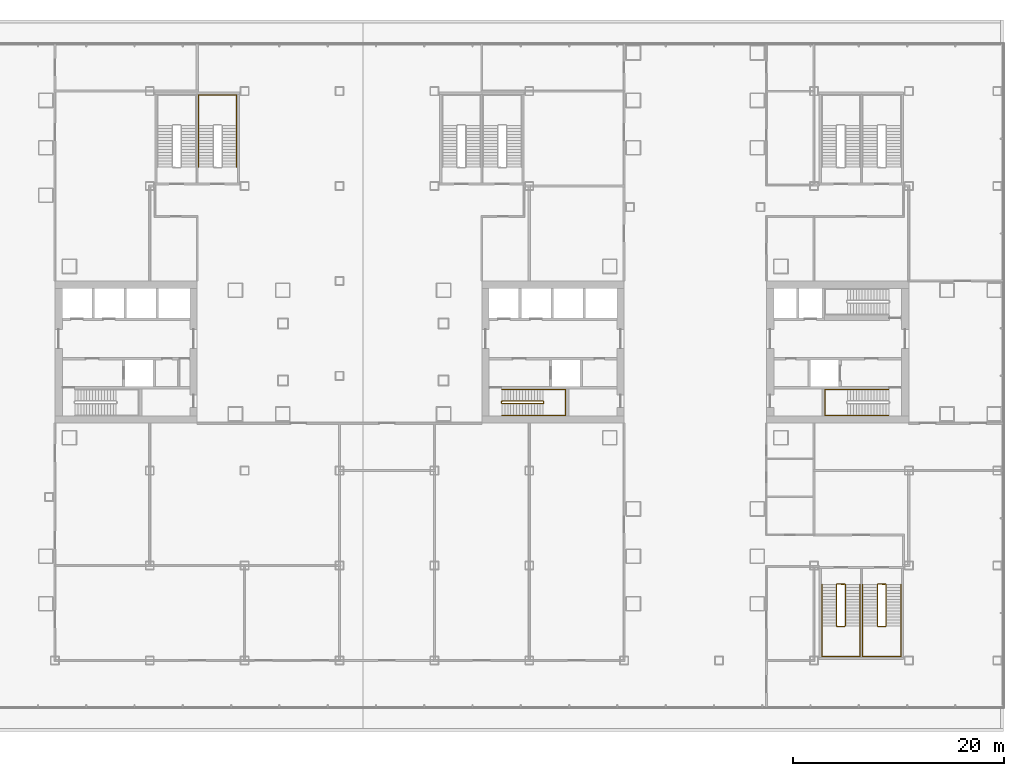
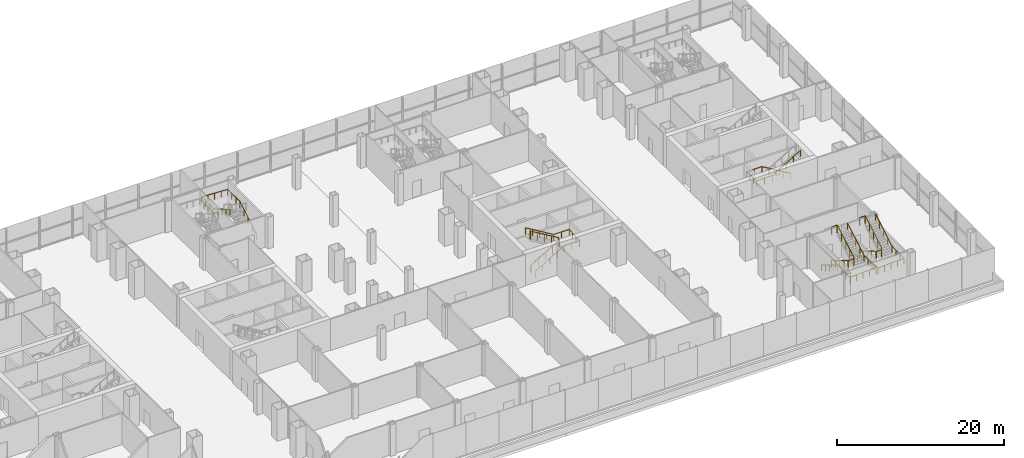
# One storey, part 31 of 33: 8 railings.
"""IFC4 building model written with IfcOpenShell, lengths in metres."""

import ifcopenshell
import ifcopenshell.guid

model = None  # the IFC model being written
_history = None  # IfcOwnerHistory: only IFC2X3 demands one
_inside = {}  # id of a spatial element -> (the spatial element, [elements in it])
_under = {}  # id of a project, library or spatial element -> (it, [spatial elements below it])
_declared = {}  # id of a project -> (the project, [libraries it declares])
_typed = {}  # id of a type object -> (the type object, [elements of that type])
_made_of = {}  # id of a material, layer set ... -> (it, [elements and type objects made of it])


def new_model(schema):
    """Start an empty IFC model of exactly this schema.

    Asked for "IFC4X3", IfcOpenShell would pick the latest addendum, in which some entities
    have other attributes; the version numbers below select the first issue.
    IFC2X3 requires an IfcOwnerHistory on every rooted entity: one is made here for all.
    """
    global model, _history
    if schema == "IFC4X3":
        model = ifcopenshell.file(schema_version=(4, 3, 0, 0))
    else:
        model = ifcopenshell.file(schema=schema)
    _inside.clear()
    _under.clear()
    _declared.clear()
    _typed.clear()
    _made_of.clear()
    _history = None
    if model.schema == "IFC2X3":
        org = make("IfcOrganization", Name="unknown")
        user = make(
            "IfcPersonAndOrganization",
            ThePerson=make("IfcPerson", FamilyName="unknown"),
            TheOrganization=org,
        )
        app = make(
            "IfcApplication",
            ApplicationDeveloper=org,
            Version="unknown",
            ApplicationFullName="unknown",
            ApplicationIdentifier="unknown",
        )
        _history = make(
            "IfcOwnerHistory",
            OwningUser=user,
            OwningApplication=app,
            ChangeAction="ADDED",
            CreationDate=0,
        )
    return model


def make(cls, **values):
    """One entity of the class cls with the attributes given. An attribute that is None is left unset."""
    return model.create_entity(
        cls, **{name: value for name, value in values.items() if value is not None}
    )


def rooted(cls, **values):
    """An entity with a GlobalId (a new one), such as an element, a storey or a relation."""
    return make(cls, GlobalId=ifcopenshell.guid.new(), OwnerHistory=_history, **values)


def si_unit(unit_type, name, prefix=None):
    """IfcSIUnit, for example si_unit("LENGTHUNIT", "METRE", prefix="MILLI")."""
    return make("IfcSIUnit", UnitType=unit_type, Prefix=prefix, Name=name)


def assignment(units):
    """IfcUnitAssignment: the units of a project."""
    return None if units is None else make("IfcUnitAssignment", Units=units)


def point(xyz):
    """IfcCartesianPoint."""
    return None if xyz is None else make("IfcCartesianPoint", Coordinates=xyz)


def direction(xyz):
    """IfcDirection."""
    return None if xyz is None else make("IfcDirection", DirectionRatios=xyz)


def frame(location, z_axis=None, x_axis=None):
    """IfcAxis2Placement3D, a coordinate frame: its origin and axes. An axis left out is left unset."""
    return make(
        "IfcAxis2Placement3D",
        Location=point(location),
        Axis=direction(z_axis),
        RefDirection=direction(x_axis),
    )


def frame_2d(location, x_axis=None):
    """IfcAxis2Placement2D, a coordinate frame in the plane: its origin and x axis."""
    return make(
        "IfcAxis2Placement2D", Location=point(location), RefDirection=direction(x_axis)
    )


def origin():
    """The frame at (0, 0, 0) with its axes left unset."""
    return frame((0.0, 0.0, 0.0))


def origin_2d():
    """The frame at (0, 0) in the plane with its x axis left unset."""
    return frame_2d((0.0, 0.0))


def place(relative_to, where):
    """IfcLocalPlacement: puts the frame where relative to a parent placement (None: the world)."""
    return make(
        "IfcLocalPlacement", PlacementRelTo=relative_to, RelativePlacement=where
    )


def context(
    kind, dimensions, precision=None, world=None, true_north=None, identifier=None
):
    """IfcGeometricRepresentationContext, for example the 3D "Model" context."""
    return make(
        "IfcGeometricRepresentationContext",
        ContextIdentifier=identifier,
        ContextType=kind,
        CoordinateSpaceDimension=dimensions,
        Precision=precision,
        WorldCoordinateSystem=world,
        TrueNorth=true_north,
    )


def subcontext(parent, identifier, kind, view, scale=None):
    """IfcGeometricRepresentationSubContext, for example "Body" below "Model"."""
    return make(
        "IfcGeometricRepresentationSubContext",
        ContextIdentifier=identifier,
        ContextType=kind,
        ParentContext=parent,
        TargetScale=scale,
        TargetView=view,
    )


def project(units=None, contexts=None):
    """IfcProject with its units and contexts."""
    return rooted(
        "IfcProject",
        Name="project",
        RepresentationContexts=contexts,
        UnitsInContext=assignment(units),
    )


def spatial(cls, under=None, at=None, **own):
    """A site, building, storey or space (cls), placed at a placement, below another one or the project."""
    s = rooted(cls, ObjectPlacement=at, **own)
    if under is not None:
        _under.setdefault(under.id(), (under, []))[1].append(s)
    return s


def profile(cls, at=None, kind="AREA", **sizes):
    """A parametric profile (cls). Its sizes go by their IFC names, for example OverallWidth=200.0."""
    return make(cls, ProfileType=kind, Position=at, **sizes)


def circle(**sizes):
    """IfcCircleProfileDef."""
    return profile("IfcCircleProfileDef", **sizes)


def extrude(swept, where, along, depth):
    """IfcExtrudedAreaSolid: the profile swept, set in the frame where, extruded along a direction by depth."""
    return make(
        "IfcExtrudedAreaSolid",
        SweptArea=swept,
        Position=where,
        ExtrudedDirection=direction(along),
        Depth=depth,
    )


def shape(context_of_items, identifier, shape_type, items):
    """IfcShapeRepresentation: the items that make up one representation, for example the "Body"."""
    return make(
        "IfcShapeRepresentation",
        ContextOfItems=context_of_items,
        RepresentationIdentifier=identifier,
        RepresentationType=shape_type,
        Items=items,
    )


def material(Name=None, Category=None):
    """IfcMaterial."""
    return make("IfcMaterial", Name=Name, Category=Category)


def made_of(thing, what):
    """Note that an element or type object is made of a material, layer set ...; save() writes the relation."""
    if what is not None:
        _made_of.setdefault(what.id(), (what, []))[1].append(thing)
    return thing


def type_object(cls, material=None, **own):
    """A type object (cls), such as IfcWallType, which elements share."""
    return made_of(rooted(cls, **own), material)


def element(
    cls,
    number,
    at=None,
    inside=None,
    cuts=None,
    type_object=None,
    material=None,
    context=None,
    identifier="Body",
    shape_type=None,
    held_by="IfcProductDefinitionShape",
    body=None,
    shapes=None,
    **own,
):
    """One element of the class cls, such as IfcWall. Its Tag is "e" and its number.

    at: its placement. inside: the storey or other place that contains it. cuts: it is an
    opening in that element (IfcRelVoidsElement). A single representation is given by context,
    identifier, shape_type and body (its items); several are given by shapes. held_by: the class
    of the entity that holds the representations. save() writes the other relations.
    """
    e = rooted(cls, Tag="e%d" % number, ObjectPlacement=at, **own)
    if body is not None:
        shapes = [shape(context, identifier, shape_type, body)]
    if shapes is not None:
        e.Representation = make(held_by, Representations=shapes)
    if inside is not None:
        _inside.setdefault(inside.id(), (inside, []))[1].append(e)
    if cuts is not None:
        rooted(
            "IfcRelVoidsElement", RelatingBuildingElement=cuts, RelatedOpeningElement=e
        )
    if type_object is not None:
        _typed.setdefault(type_object.id(), (type_object, []))[1].append(e)
    return made_of(e, material)


def aggregate(whole, parts):
    """IfcRelAggregates: a whole, such as a stair, and the parts it consists of."""
    return rooted("IfcRelAggregates", RelatingObject=whole, RelatedObjects=parts)


def save(model, path):
    """Write the relations noted so far, then the file.

    IfcRelAggregates (storeys below a building ...), IfcRelContainedInSpatialStructure (elements
    in a storey), IfcRelDefinesByType, IfcRelAssociatesMaterial and IfcRelDeclares: one each for
    every whole, place, type object, material and project.
    """
    for whole, parts in _under.values():
        aggregate(whole, parts)
    for where, things in _inside.values():
        rooted(
            "IfcRelContainedInSpatialStructure",
            RelatedElements=things,
            RelatingStructure=where,
        )
    for kind, things in _typed.values():
        rooted("IfcRelDefinesByType", RelatedObjects=things, RelatingType=kind)
    for what, things in _made_of.values():
        rooted("IfcRelAssociatesMaterial", RelatedObjects=things, RelatingMaterial=what)
    for by, libraries in _declared.values():
        rooted("IfcRelDeclares", RelatingContext=by, RelatedDefinitions=libraries)
    model.write(path)


model = new_model("IFC4")

# Units and contexts
model_context = context("Model", 3, precision=1e-05, world=origin(), true_north=direction((0.0, 1.0)))
body_context = subcontext(model_context, "Body", "Model", "MODEL_VIEW")
ifc_project = project(units=[si_unit("LENGTHUNIT", "METRE"), si_unit("AREAUNIT", "SQUARE_METRE"), si_unit("VOLUMEUNIT", "CUBIC_METRE"), si_unit("PLANEANGLEUNIT", "RADIAN"), si_unit("MASSUNIT", "GRAM", prefix="KILO")], contexts=[model_context])

# Site, building, storey
site_placement = place(None, origin())
site = spatial("IfcSite", under=ifc_project, at=site_placement, CompositionType="ELEMENT")
building_placement = place(site_placement, origin())
building = spatial("IfcBuilding", under=site, at=building_placement, Name="Shamsa Quay Exchange Towers", CompositionType="ELEMENT")
storey_placement = place(building_placement, frame((0.0, 0.0, 18.5)))
storey = spatial("IfcBuildingStorey", under=building, at=storey_placement, Name="L03", CompositionType="ELEMENT", Elevation=18.5)

# Railings
ifc_material = material(Name="Stainless steel", Category="steel")
railing_type_1 = type_object("IfcRailingType", Name="STAIR GUARD 1100", PredefinedType="GUARDRAIL", material=ifc_material)
railing_1_placement = place(storey_placement, frame((15.39990234375, -4.89990234375, 0.166748046875)))
element("IfcRailing", 1, at=railing_1_placement, inside=storey, type_object=railing_type_1, Name="L03 ST4 stair guard 1", PredefinedType="GUARDRAIL", context=body_context, shape_type="SweptSolid", body=[
    extrude(circle(Radius=0.02392578125, at=origin_2d()), frame((0.0, 0.0, 1.076171875), z_axis=(0.859310244771, 0.0, 0.511454693235), x_axis=(0.0, 1.0, 0.0)), (0.0, 0.0, 1.0), 4.56201171875),
    extrude(circle(Radius=0.02392578125, at=origin_2d()), frame((3.920166015625, 0.0, 3.4091796875), z_axis=(0.708833529934, 0.705375805398, 0.0), x_axis=(-0.705375805398, 0.708833529934, 0.0)), (0.0, 0.0, 1.0), 0.070556640625),
    extrude(circle(Radius=0.02392578125, at=origin_2d()), frame((3.97021484375, 0.0498046875, 3.4091796875), z_axis=(0.0, 1.0, 0.0), x_axis=(-1.0, 0.0, 0.0)), (0.0, 0.0, 1.0), 0.150146484375),
    extrude(circle(Radius=0.02392578125, at=origin_2d()), frame((3.97021484375, 0.199951171875, 3.4091796875), z_axis=(-0.27628659633, 0.27628659633, 0.920506074601), x_axis=(-0.707106781187, -0.707106781187, 0.0)), (0.0, 0.0, 1.0), 0.18115234375),
    extrude(circle(Radius=0.02392578125, at=origin_2d()), frame((3.920166015625, 0.25, 3.576171875), z_axis=(-0.859310244771, 0.0, 0.511454693235), x_axis=(0.0, -1.0, 0.0)), (0.0, 0.0, 1.0), 4.56201171875),
    extrude(circle(Radius=0.02392578125, at=origin_2d()), frame((0.0, 0.25, 5.9091796875), z_axis=(-0.24142163986, -0.970420317083, 0.0), x_axis=(0.970420317083, -0.24142163986, 0.0)), (0.0, 0.0, 1.0), 0.206298828125),
    extrude(circle(Radius=0.02392578125, at=origin_2d()), frame((-0.0498046875, 0.0498046875, 5.9091796875), z_axis=(0.0, 1.0, 0.0), x_axis=(-1.0, 0.0, 0.0)), (0.0, 0.0, 1.0), 0.150146484375),
    extrude(circle(Radius=0.02099609375, at=origin_2d()), origin(), (0.0, 0.0, 1.0), 1.052001953125),
    extrude(circle(Radius=0.02099609375, at=origin_2d()), frame((0.97998046875, 0.0, 0.583251953125)), (0.0, 0.0, 1.0), 1.052001953125),
    extrude(circle(Radius=0.02099609375, at=origin_2d()), frame((1.9599609375, 0.0, 1.16650390625)), (0.0, 0.0, 1.0), 1.052001953125),
    extrude(circle(Radius=0.02099609375, at=origin_2d()), frame((2.940185546875, 0.0, 1.75)), (0.0, 0.0, 1.0), 1.052001953125),
    extrude(circle(Radius=0.02099609375, at=origin_2d()), frame((3.920166015625, 0.0, 2.333251953125)), (0.0, 0.0, 1.0), 1.052001953125),
    extrude(circle(Radius=0.02099609375, at=origin_2d()), frame((3.97021484375, 0.0498046875, 2.333251953125)), (0.0, 0.0, 1.0), 1.052001953125),
    extrude(circle(Radius=0.02099609375, at=origin_2d()), frame((3.97021484375, 0.199951171875, 2.333251953125)), (0.0, 0.0, 1.0), 1.052001953125),
    extrude(circle(Radius=0.02099609375, at=origin_2d()), frame((3.920166015625, 0.25, 2.5)), (0.0, 0.0, 1.0), 1.052001953125),
    extrude(circle(Radius=0.02099609375, at=origin_2d()), frame((2.940185546875, 0.25, 3.083251953125)), (0.0, 0.0, 1.0), 1.052001953125),
    extrude(circle(Radius=0.02099609375, at=origin_2d()), frame((1.9599609375, 0.25, 3.66650390625)), (0.0, 0.0, 1.0), 1.052001953125),
    extrude(circle(Radius=0.02099609375, at=origin_2d()), frame((0.97998046875, 0.25, 4.25)), (0.0, 0.0, 1.0), 1.052001953125),
    extrude(circle(Radius=0.02099609375, at=origin_2d()), frame((0.0, 0.25, 4.833251953125)), (0.0, 0.0, 1.0), 1.052001953125),
    extrude(circle(Radius=0.02099609375, at=origin_2d()), frame((-0.0498046875, 0.0498046875, 4.833251953125)), (0.0, 0.0, 1.0), 1.052001953125),
    extrude(circle(Radius=0.02099609375, at=origin_2d()), frame((-0.0498046875, 0.199951171875, 4.833251953125)), (0.0, 0.0, 1.0), 1.052001953125),
])
railing_2_placement = place(storey_placement, frame((47.14990234375, -22.050048828125, 0.166748046875)))
element("IfcRailing", 2, at=railing_2_placement, inside=storey, type_object=railing_type_1, Name="L03 PS6A stair guard 1", PredefinedType="GUARDRAIL", context=body_context, shape_type="SweptSolid", body=[
    extrude(circle(Radius=0.02392578125, at=origin_2d()), frame((0.0, 0.0, 1.076171875), z_axis=(0.0, -0.859296244711, 0.511478214419), x_axis=(1.0, 0.0, 0.0)), (0.0, 0.0, 1.0), 4.561767578125),
    extrude(circle(Radius=0.02392578125, at=origin_2d()), frame((0.0, -3.919921875, 3.4091796875), z_axis=(0.707106781187, -0.707106781187, 0.0), x_axis=(0.707106781187, 0.707106781187, 0.0)), (0.0, 0.0, 1.0), 0.07080078125),
    extrude(circle(Radius=0.02392578125, at=origin_2d()), frame((0.050048828125, -3.969970703125, 3.4091796875), z_axis=(1.0, 0.0, 0.0), x_axis=(0.0, 1.0, 0.0)), (0.0, 0.0, 1.0), 0.72509765625),
    extrude(circle(Radius=0.02392578125, at=origin_2d()), frame((0.775146484375, -3.969970703125, 3.4091796875), z_axis=(0.27628659633, 0.27628659633, 0.920506074601), x_axis=(-0.707106781187, 0.707106781187, 0.0)), (0.0, 0.0, 1.0), 0.18115234375),
    extrude(circle(Radius=0.02392578125, at=origin_2d()), frame((0.8251953125, -3.919921875, 3.576171875), z_axis=(0.0, 0.859296244711, 0.511478214419), x_axis=(-1.0, 0.0, 0.0)), (0.0, 0.0, 1.0), 4.561767578125),
    extrude(circle(Radius=0.02392578125, at=origin_2d()), frame((0.8251953125, 0.0, 5.9091796875), z_axis=(-0.997922050633, 0.064432762324, 0.0), x_axis=(-0.064432762324, -0.997922050633, 0.0)), (0.0, 0.0, 1.0), 0.77685546875),
    extrude(circle(Radius=0.02392578125, at=origin_2d()), frame((0.050048828125, 0.050048828125, 5.9091796875), z_axis=(1.0, 0.0, 0.0), x_axis=(0.0, 1.0, 0.0)), (0.0, 0.0, 1.0), 0.72509765625),
    extrude(circle(Radius=0.02099609375, at=origin_2d()), origin(), (0.0, 0.0, 1.0), 1.052001953125),
    extrude(circle(Radius=0.02099609375, at=origin_2d()), frame((0.0, -0.97998046875, 0.583251953125)), (0.0, 0.0, 1.0), 1.052001953125),
    extrude(circle(Radius=0.02099609375, at=origin_2d()), frame((0.0, -1.9599609375, 1.16650390625)), (0.0, 0.0, 1.0), 1.052001953125),
    extrude(circle(Radius=0.02099609375, at=origin_2d()), frame((0.0, -2.93994140625, 1.75)), (0.0, 0.0, 1.0), 1.052001953125),
    extrude(circle(Radius=0.02099609375, at=origin_2d()), frame((0.0, -3.919921875, 2.333251953125)), (0.0, 0.0, 1.0), 1.052001953125),
    extrude(circle(Radius=0.02099609375, at=origin_2d()), frame((0.050048828125, -3.969970703125, 2.333251953125)), (0.0, 0.0, 1.0), 1.052001953125),
    extrude(circle(Radius=0.02099609375, at=origin_2d()), frame((0.775146484375, -3.969970703125, 2.333251953125)), (0.0, 0.0, 1.0), 1.052001953125),
    extrude(circle(Radius=0.02099609375, at=origin_2d()), frame((0.8251953125, -3.919921875, 2.5)), (0.0, 0.0, 1.0), 1.052001953125),
    extrude(circle(Radius=0.02099609375, at=origin_2d()), frame((0.8251953125, -2.93994140625, 3.083251953125)), (0.0, 0.0, 1.0), 1.052001953125),
    extrude(circle(Radius=0.02099609375, at=origin_2d()), frame((0.8251953125, -1.9599609375, 3.66650390625)), (0.0, 0.0, 1.0), 1.052001953125),
    extrude(circle(Radius=0.02099609375, at=origin_2d()), frame((0.8251953125, -0.97998046875, 4.25)), (0.0, 0.0, 1.0), 1.052001953125),
    extrude(circle(Radius=0.02099609375, at=origin_2d()), frame((0.8251953125, 0.0, 4.833251953125)), (0.0, 0.0, 1.0), 1.052001953125),
    extrude(circle(Radius=0.02099609375, at=origin_2d()), frame((0.050048828125, 0.050048828125, 4.833251953125)), (0.0, 0.0, 1.0), 1.052001953125),
    extrude(circle(Radius=0.02099609375, at=origin_2d()), frame((0.775146484375, 0.050048828125, 4.833251953125)), (0.0, 0.0, 1.0), 1.052001953125),
])
railing_3_placement = place(storey_placement, frame((51.02490234375, -22.050048828125, 0.166748046875)))
element("IfcRailing", 3, at=railing_3_placement, inside=storey, type_object=railing_type_1, Name="L03 PS6B stair guard 1", PredefinedType="GUARDRAIL", context=body_context, shape_type="SweptSolid", body=[
    extrude(circle(Radius=0.02392578125, at=origin_2d()), frame((0.0, 0.0, 1.076171875), z_axis=(0.0, -0.859296244711, 0.511478214419), x_axis=(1.0, 0.0, 0.0)), (0.0, 0.0, 1.0), 4.561767578125),
    extrude(circle(Radius=0.02392578125, at=origin_2d()), frame((0.0, -3.919921875, 3.4091796875), z_axis=(0.707106781187, -0.707106781187, 0.0), x_axis=(0.707106781187, 0.707106781187, 0.0)), (0.0, 0.0, 1.0), 0.07080078125),
    extrude(circle(Radius=0.02392578125, at=origin_2d()), frame((0.050048828125, -3.969970703125, 3.4091796875), z_axis=(1.0, 0.0, 0.0), x_axis=(0.0, 1.0, 0.0)), (0.0, 0.0, 1.0), 0.72509765625),
    extrude(circle(Radius=0.02392578125, at=origin_2d()), frame((0.775146484375, -3.969970703125, 3.4091796875), z_axis=(0.27628659633, 0.27628659633, 0.920506074601), x_axis=(-0.707106781187, 0.707106781187, 0.0)), (0.0, 0.0, 1.0), 0.18115234375),
    extrude(circle(Radius=0.02392578125, at=origin_2d()), frame((0.8251953125, -3.919921875, 3.576171875), z_axis=(0.0, 0.859296244711, 0.511478214419), x_axis=(-1.0, 0.0, 0.0)), (0.0, 0.0, 1.0), 4.561767578125),
    extrude(circle(Radius=0.02392578125, at=origin_2d()), frame((0.8251953125, 0.0, 5.9091796875), z_axis=(-0.997922050633, 0.064432762324, 0.0), x_axis=(-0.064432762324, -0.997922050633, 0.0)), (0.0, 0.0, 1.0), 0.77685546875),
    extrude(circle(Radius=0.02392578125, at=origin_2d()), frame((0.050048828125, 0.050048828125, 5.9091796875), z_axis=(1.0, 0.0, 0.0), x_axis=(0.0, 1.0, 0.0)), (0.0, 0.0, 1.0), 0.72509765625),
    extrude(circle(Radius=0.02099609375, at=origin_2d()), origin(), (0.0, 0.0, 1.0), 1.052001953125),
    extrude(circle(Radius=0.02099609375, at=origin_2d()), frame((0.0, -0.97998046875, 0.583251953125)), (0.0, 0.0, 1.0), 1.052001953125),
    extrude(circle(Radius=0.02099609375, at=origin_2d()), frame((0.0, -1.9599609375, 1.16650390625)), (0.0, 0.0, 1.0), 1.052001953125),
    extrude(circle(Radius=0.02099609375, at=origin_2d()), frame((0.0, -2.93994140625, 1.75)), (0.0, 0.0, 1.0), 1.052001953125),
    extrude(circle(Radius=0.02099609375, at=origin_2d()), frame((0.0, -3.919921875, 2.333251953125)), (0.0, 0.0, 1.0), 1.052001953125),
    extrude(circle(Radius=0.02099609375, at=origin_2d()), frame((0.050048828125, -3.969970703125, 2.333251953125)), (0.0, 0.0, 1.0), 1.052001953125),
    extrude(circle(Radius=0.02099609375, at=origin_2d()), frame((0.775146484375, -3.969970703125, 2.333251953125)), (0.0, 0.0, 1.0), 1.052001953125),
    extrude(circle(Radius=0.02099609375, at=origin_2d()), frame((0.8251953125, -3.919921875, 2.5)), (0.0, 0.0, 1.0), 1.052001953125),
    extrude(circle(Radius=0.02099609375, at=origin_2d()), frame((0.8251953125, -2.93994140625, 3.083251953125)), (0.0, 0.0, 1.0), 1.052001953125),
    extrude(circle(Radius=0.02099609375, at=origin_2d()), frame((0.8251953125, -1.9599609375, 3.66650390625)), (0.0, 0.0, 1.0), 1.052001953125),
    extrude(circle(Radius=0.02099609375, at=origin_2d()), frame((0.8251953125, -0.97998046875, 4.25)), (0.0, 0.0, 1.0), 1.052001953125),
    extrude(circle(Radius=0.02099609375, at=origin_2d()), frame((0.8251953125, 0.0, 4.833251953125)), (0.0, 0.0, 1.0), 1.052001953125),
    extrude(circle(Radius=0.02099609375, at=origin_2d()), frame((0.050048828125, 0.050048828125, 4.833251953125)), (0.0, 0.0, 1.0), 1.052001953125),
    extrude(circle(Radius=0.02099609375, at=origin_2d()), frame((0.775146484375, 0.050048828125, 4.833251953125)), (0.0, 0.0, 1.0), 1.052001953125),
])
railing_type_2 = type_object("IfcRailingType", Name="STAIR HANDRAIL 900", PredefinedType="HANDRAIL", material=ifc_material)
railing_4_placement = place(storey_placement, frame((15.39990234375, -6.0, 0.166748046875)))
element("IfcRailing", 4, at=railing_4_placement, inside=storey, type_object=railing_type_2, Name="L03 ST4 stair handrail 1", PredefinedType="HANDRAIL", context=body_context, shape_type="SweptSolid", body=[
    extrude(circle(Radius=0.02392578125, at=origin_2d()), frame((0.0, 0.0, 0.8759765625), z_axis=(0.859310244771, 0.0, 0.511454693235), x_axis=(0.0, 1.0, 0.0)), (0.0, 0.0, 1.0), 4.56201171875),
    extrude(circle(Radius=0.02392578125, at=origin_2d()), frame((3.920166015625, 0.0, 3.208984375), z_axis=(1.0, 0.0, 0.0), x_axis=(0.0, 1.0, 0.0)), (0.0, 0.0, 1.0), 2.1298828125),
    extrude(circle(Radius=0.02392578125, at=origin_2d()), frame((6.050048828125, 0.0, 3.208984375), z_axis=(0.0, 0.997691813052, 0.067904684436), x_axis=(-1.0, 0.0, 0.0)), (0.0, 0.0, 1.0), 2.45556640625),
    extrude(circle(Radius=0.02392578125, at=origin_2d()), frame((6.050048828125, 2.449951171875, 3.3759765625), z_axis=(-1.0, 0.0, 0.0), x_axis=(0.0, -1.0, 0.0)), (0.0, 0.0, 1.0), 2.1298828125),
    extrude(circle(Radius=0.02392578125, at=origin_2d()), frame((3.920166015625, 2.449951171875, 3.3759765625), z_axis=(-0.859310244771, 0.0, 0.511454693235), x_axis=(0.0, -1.0, 0.0)), (0.0, 0.0, 1.0), 4.56201171875),
    extrude(circle(Radius=0.02099609375, at=origin_2d()), origin(), (0.0, 0.0, 1.0), 0.851806640625),
    extrude(circle(Radius=0.02099609375, at=origin_2d()), frame((0.97998046875, 0.0, 0.583251953125)), (0.0, 0.0, 1.0), 0.851806640625),
    extrude(circle(Radius=0.02099609375, at=origin_2d()), frame((1.9599609375, 0.0, 1.16650390625)), (0.0, 0.0, 1.0), 0.851806640625),
    extrude(circle(Radius=0.02099609375, at=origin_2d()), frame((2.940185546875, 0.0, 1.75)), (0.0, 0.0, 1.0), 0.851806640625),
    extrude(circle(Radius=0.02099609375, at=origin_2d()), frame((3.920166015625, 0.0, 2.333251953125)), (0.0, 0.0, 1.0), 0.851806640625),
    extrude(circle(Radius=0.02099609375, at=origin_2d()), frame((4.985107421875, 0.0, 2.333251953125)), (0.0, 0.0, 1.0), 0.851806640625),
    extrude(circle(Radius=0.02099609375, at=origin_2d()), frame((6.050048828125, 0.0, 2.333251953125)), (0.0, 0.0, 1.0), 0.851806640625),
    extrude(circle(Radius=0.02099609375, at=origin_2d()), frame((6.050048828125, 0.816650390625, 2.388916015625)), (0.0, 0.0, 1.0), 0.851806640625),
    extrude(circle(Radius=0.02099609375, at=origin_2d()), frame((6.050048828125, 1.63330078125, 2.4443359375)), (0.0, 0.0, 1.0), 0.851806640625),
    extrude(circle(Radius=0.02099609375, at=origin_2d()), frame((6.050048828125, 2.449951171875, 2.5)), (0.0, 0.0, 1.0), 0.851806640625),
    extrude(circle(Radius=0.02099609375, at=origin_2d()), frame((4.985107421875, 2.449951171875, 2.5)), (0.0, 0.0, 1.0), 0.851806640625),
    extrude(circle(Radius=0.02099609375, at=origin_2d()), frame((3.920166015625, 2.449951171875, 2.5)), (0.0, 0.0, 1.0), 0.851806640625),
    extrude(circle(Radius=0.02099609375, at=origin_2d()), frame((2.940185546875, 2.449951171875, 3.083251953125)), (0.0, 0.0, 1.0), 0.851806640625),
    extrude(circle(Radius=0.02099609375, at=origin_2d()), frame((1.9599609375, 2.449951171875, 3.66650390625)), (0.0, 0.0, 1.0), 0.851806640625),
    extrude(circle(Radius=0.02099609375, at=origin_2d()), frame((0.97998046875, 2.449951171875, 4.25)), (0.0, 0.0, 1.0), 0.851806640625),
    extrude(circle(Radius=0.02099609375, at=origin_2d()), frame((0.0, 2.449951171875, 4.833251953125)), (0.0, 0.0, 1.0), 0.851806640625),
])
railing_5_placement = place(storey_placement, frame((52.10009765625, -3.550048828125, 0.166748046875)))
element("IfcRailing", 5, at=railing_5_placement, inside=storey, type_object=railing_type_2, Name="L03 ST5 stair handrail 1", PredefinedType="HANDRAIL", context=body_context, shape_type="SweptSolid", body=[
    extrude(circle(Radius=0.02392578125, at=origin_2d()), frame((0.0, 0.0, 0.8759765625), z_axis=(-0.859310244771, 0.0, 0.511454693235), x_axis=(0.0, -1.0, 0.0)), (0.0, 0.0, 1.0), 4.56201171875),
    extrude(circle(Radius=0.02392578125, at=origin_2d()), frame((-3.920166015625, 0.0, 3.208984375), z_axis=(-1.0, 0.0, 0.0), x_axis=(0.0, -1.0, 0.0)), (0.0, 0.0, 1.0), 2.1298828125),
    extrude(circle(Radius=0.02392578125, at=origin_2d()), frame((-6.050048828125, 0.0, 3.208984375), z_axis=(0.0, -0.997691813052, 0.067904684436), x_axis=(1.0, 0.0, 0.0)), (0.0, 0.0, 1.0), 2.45556640625),
    extrude(circle(Radius=0.02392578125, at=origin_2d()), frame((-6.050048828125, -2.449951171875, 3.3759765625), z_axis=(1.0, 0.0, 0.0), x_axis=(0.0, 1.0, 0.0)), (0.0, 0.0, 1.0), 2.1298828125),
    extrude(circle(Radius=0.02392578125, at=origin_2d()), frame((-3.920166015625, -2.449951171875, 3.3759765625), z_axis=(0.859310244771, 0.0, 0.511454693235), x_axis=(0.0, 1.0, 0.0)), (0.0, 0.0, 1.0), 4.56201171875),
    extrude(circle(Radius=0.02099609375, at=origin_2d()), origin(), (0.0, 0.0, 1.0), 0.851806640625),
    extrude(circle(Radius=0.02099609375, at=origin_2d()), frame((-0.97998046875, 0.0, 0.583251953125)), (0.0, 0.0, 1.0), 0.851806640625),
    extrude(circle(Radius=0.02099609375, at=origin_2d()), frame((-1.9599609375, 0.0, 1.16650390625)), (0.0, 0.0, 1.0), 0.851806640625),
    extrude(circle(Radius=0.02099609375, at=origin_2d()), frame((-2.940185546875, 0.0, 1.75)), (0.0, 0.0, 1.0), 0.851806640625),
    extrude(circle(Radius=0.02099609375, at=origin_2d()), frame((-3.920166015625, 0.0, 2.333251953125)), (0.0, 0.0, 1.0), 0.851806640625),
    extrude(circle(Radius=0.02099609375, at=origin_2d()), frame((-4.985107421875, 0.0, 2.333251953125)), (0.0, 0.0, 1.0), 0.851806640625),
    extrude(circle(Radius=0.02099609375, at=origin_2d()), frame((-6.050048828125, 0.0, 2.333251953125)), (0.0, 0.0, 1.0), 0.851806640625),
    extrude(circle(Radius=0.02099609375, at=origin_2d()), frame((-6.050048828125, -0.816650390625, 2.388916015625)), (0.0, 0.0, 1.0), 0.851806640625),
    extrude(circle(Radius=0.02099609375, at=origin_2d()), frame((-6.050048828125, -1.63330078125, 2.4443359375)), (0.0, 0.0, 1.0), 0.851806640625),
    extrude(circle(Radius=0.02099609375, at=origin_2d()), frame((-6.050048828125, -2.449951171875, 2.5)), (0.0, 0.0, 1.0), 0.851806640625),
    extrude(circle(Radius=0.02099609375, at=origin_2d()), frame((-4.985107421875, -2.449951171875, 2.5)), (0.0, 0.0, 1.0), 0.851806640625),
    extrude(circle(Radius=0.02099609375, at=origin_2d()), frame((-3.920166015625, -2.449951171875, 2.5)), (0.0, 0.0, 1.0), 0.851806640625),
    extrude(circle(Radius=0.02099609375, at=origin_2d()), frame((-2.940185546875, -2.449951171875, 3.083251953125)), (0.0, 0.0, 1.0), 0.851806640625),
    extrude(circle(Radius=0.02099609375, at=origin_2d()), frame((-1.9599609375, -2.449951171875, 3.66650390625)), (0.0, 0.0, 1.0), 0.851806640625),
    extrude(circle(Radius=0.02099609375, at=origin_2d()), frame((-0.97998046875, -2.449951171875, 4.25)), (0.0, 0.0, 1.0), 0.851806640625),
    extrude(circle(Radius=0.02099609375, at=origin_2d()), frame((0.0, -2.449951171875, 4.833251953125)), (0.0, 0.0, 1.0), 0.851806640625),
])
railing_6_placement = place(storey_placement, frame((-9.75, 17.550048828125, 0.166748046875)))
element("IfcRailing", 6, at=railing_6_placement, inside=storey, type_object=railing_type_2, Name="L03 PS2B stair handrail 1", PredefinedType="HANDRAIL", context=body_context, shape_type="SweptSolid", body=[
    extrude(circle(Radius=0.02392578125, at=origin_2d()), frame((0.0, 0.0, 0.8759765625), z_axis=(0.0, 0.859296244711, 0.511478214419), x_axis=(-1.0, 0.0, 0.0)), (0.0, 0.0, 1.0), 4.561767578125),
    extrude(circle(Radius=0.02392578125, at=origin_2d()), frame((0.0, 3.919921875, 3.208984375), z_axis=(0.0, 1.0, 0.0), x_axis=(-1.0, 0.0, 0.0)), (0.0, 0.0, 1.0), 2.929931640625),
    extrude(circle(Radius=0.02392578125, at=origin_2d()), frame((0.0, 6.849853515625, 3.208984375), z_axis=(-0.998943700797, 0.0, 0.045950872013), x_axis=(0.0, -1.0, 0.0)), (0.0, 0.0, 1.0), 3.62890625),
    extrude(circle(Radius=0.02392578125, at=origin_2d()), frame((-3.625, 6.849853515625, 3.3759765625), z_axis=(0.0, -1.0, 0.0), x_axis=(1.0, 0.0, 0.0)), (0.0, 0.0, 1.0), 2.929931640625),
    extrude(circle(Radius=0.02392578125, at=origin_2d()), frame((-3.625, 3.919921875, 3.3759765625), z_axis=(0.0, -0.859296244711, 0.511478214419), x_axis=(1.0, 0.0, 0.0)), (0.0, 0.0, 1.0), 4.561767578125),
    extrude(circle(Radius=0.02099609375, at=origin_2d()), origin(), (0.0, 0.0, 1.0), 0.851806640625),
    extrude(circle(Radius=0.02099609375, at=origin_2d()), frame((0.0, 0.97998046875, 0.583251953125)), (0.0, 0.0, 1.0), 0.851806640625),
    extrude(circle(Radius=0.02099609375, at=origin_2d()), frame((0.0, 1.9599609375, 1.16650390625)), (0.0, 0.0, 1.0), 0.851806640625),
    extrude(circle(Radius=0.02099609375, at=origin_2d()), frame((0.0, 2.93994140625, 1.75)), (0.0, 0.0, 1.0), 0.851806640625),
    extrude(circle(Radius=0.02099609375, at=origin_2d()), frame((0.0, 3.919921875, 2.333251953125)), (0.0, 0.0, 1.0), 0.851806640625),
    extrude(circle(Radius=0.02099609375, at=origin_2d()), frame((0.0, 4.896484375, 2.333251953125)), (0.0, 0.0, 1.0), 0.851806640625),
    extrude(circle(Radius=0.02099609375, at=origin_2d()), frame((0.0, 5.873291015625, 2.333251953125)), (0.0, 0.0, 1.0), 0.851806640625),
    extrude(circle(Radius=0.02099609375, at=origin_2d()), frame((0.0, 6.849853515625, 2.333251953125)), (0.0, 0.0, 1.0), 0.851806640625),
    extrude(circle(Radius=0.02099609375, at=origin_2d()), frame((-0.90625, 6.849853515625, 2.375)), (0.0, 0.0, 1.0), 0.851806640625),
    extrude(circle(Radius=0.02099609375, at=origin_2d()), frame((-1.8125, 6.849853515625, 2.41650390625)), (0.0, 0.0, 1.0), 0.851806640625),
    extrude(circle(Radius=0.02099609375, at=origin_2d()), frame((-2.71875, 6.849853515625, 2.458251953125)), (0.0, 0.0, 1.0), 0.851806640625),
    extrude(circle(Radius=0.02099609375, at=origin_2d()), frame((-3.625, 6.849853515625, 2.5)), (0.0, 0.0, 1.0), 0.851806640625),
    extrude(circle(Radius=0.02099609375, at=origin_2d()), frame((-3.625, 5.873291015625, 2.5)), (0.0, 0.0, 1.0), 0.851806640625),
    extrude(circle(Radius=0.02099609375, at=origin_2d()), frame((-3.625, 4.896484375, 2.5)), (0.0, 0.0, 1.0), 0.851806640625),
    extrude(circle(Radius=0.02099609375, at=origin_2d()), frame((-3.625, 3.919921875, 2.5)), (0.0, 0.0, 1.0), 0.851806640625),
    extrude(circle(Radius=0.02099609375, at=origin_2d()), frame((-3.625, 2.93994140625, 3.083251953125)), (0.0, 0.0, 1.0), 0.851806640625),
    extrude(circle(Radius=0.02099609375, at=origin_2d()), frame((-3.625, 1.9599609375, 3.66650390625)), (0.0, 0.0, 1.0), 0.851806640625),
    extrude(circle(Radius=0.02099609375, at=origin_2d()), frame((-3.625, 0.97998046875, 4.25)), (0.0, 0.0, 1.0), 0.851806640625),
    extrude(circle(Radius=0.02099609375, at=origin_2d()), frame((-3.625, 0.0, 4.833251953125)), (0.0, 0.0, 1.0), 0.851806640625),
])
railing_7_placement = place(storey_placement, frame((45.75, -22.050048828125, 0.166748046875)))
element("IfcRailing", 7, at=railing_7_placement, inside=storey, type_object=railing_type_2, Name="L03 PS6A stair handrail 1", PredefinedType="HANDRAIL", context=body_context, shape_type="SweptSolid", body=[
    extrude(circle(Radius=0.02392578125, at=origin_2d()), frame((0.0, 0.0, 0.8759765625), z_axis=(0.0, -0.859296244711, 0.511478214419), x_axis=(1.0, 0.0, 0.0)), (0.0, 0.0, 1.0), 4.561767578125),
    extrude(circle(Radius=0.02392578125, at=origin_2d()), frame((0.0, -3.919921875, 3.208984375), z_axis=(0.0, -1.0, 0.0), x_axis=(1.0, 0.0, 0.0)), (0.0, 0.0, 1.0), 2.929931640625),
    extrude(circle(Radius=0.02392578125, at=origin_2d()), frame((0.0, -6.849853515625, 3.208984375), z_axis=(0.998943700797, 0.0, 0.045950872013), x_axis=(0.0, 1.0, 0.0)), (0.0, 0.0, 1.0), 3.62890625),
    extrude(circle(Radius=0.02392578125, at=origin_2d()), frame((3.625, -6.849853515625, 3.3759765625), z_axis=(0.0, 1.0, 0.0), x_axis=(-1.0, 0.0, 0.0)), (0.0, 0.0, 1.0), 2.929931640625),
    extrude(circle(Radius=0.02392578125, at=origin_2d()), frame((3.625, -3.919921875, 3.3759765625), z_axis=(0.0, 0.859296244711, 0.511478214419), x_axis=(-1.0, 0.0, 0.0)), (0.0, 0.0, 1.0), 4.561767578125),
    extrude(circle(Radius=0.02099609375, at=origin_2d()), origin(), (0.0, 0.0, 1.0), 0.851806640625),
    extrude(circle(Radius=0.02099609375, at=origin_2d()), frame((0.0, -0.97998046875, 0.583251953125)), (0.0, 0.0, 1.0), 0.851806640625),
    extrude(circle(Radius=0.02099609375, at=origin_2d()), frame((0.0, -1.9599609375, 1.16650390625)), (0.0, 0.0, 1.0), 0.851806640625),
    extrude(circle(Radius=0.02099609375, at=origin_2d()), frame((0.0, -2.93994140625, 1.75)), (0.0, 0.0, 1.0), 0.851806640625),
    extrude(circle(Radius=0.02099609375, at=origin_2d()), frame((0.0, -3.919921875, 2.333251953125)), (0.0, 0.0, 1.0), 0.851806640625),
    extrude(circle(Radius=0.02099609375, at=origin_2d()), frame((0.0, -4.896484375, 2.333251953125)), (0.0, 0.0, 1.0), 0.851806640625),
    extrude(circle(Radius=0.02099609375, at=origin_2d()), frame((0.0, -5.873291015625, 2.333251953125)), (0.0, 0.0, 1.0), 0.851806640625),
    extrude(circle(Radius=0.02099609375, at=origin_2d()), frame((0.0, -6.849853515625, 2.333251953125)), (0.0, 0.0, 1.0), 0.851806640625),
    extrude(circle(Radius=0.02099609375, at=origin_2d()), frame((0.90625, -6.849853515625, 2.375)), (0.0, 0.0, 1.0), 0.851806640625),
    extrude(circle(Radius=0.02099609375, at=origin_2d()), frame((1.8125, -6.849853515625, 2.41650390625)), (0.0, 0.0, 1.0), 0.851806640625),
    extrude(circle(Radius=0.02099609375, at=origin_2d()), frame((2.71875, -6.849853515625, 2.458251953125)), (0.0, 0.0, 1.0), 0.851806640625),
    extrude(circle(Radius=0.02099609375, at=origin_2d()), frame((3.625, -6.849853515625, 2.5)), (0.0, 0.0, 1.0), 0.851806640625),
    extrude(circle(Radius=0.02099609375, at=origin_2d()), frame((3.625, -5.873291015625, 2.5)), (0.0, 0.0, 1.0), 0.851806640625),
    extrude(circle(Radius=0.02099609375, at=origin_2d()), frame((3.625, -4.896484375, 2.5)), (0.0, 0.0, 1.0), 0.851806640625),
    extrude(circle(Radius=0.02099609375, at=origin_2d()), frame((3.625, -3.919921875, 2.5)), (0.0, 0.0, 1.0), 0.851806640625),
    extrude(circle(Radius=0.02099609375, at=origin_2d()), frame((3.625, -2.93994140625, 3.083251953125)), (0.0, 0.0, 1.0), 0.851806640625),
    extrude(circle(Radius=0.02099609375, at=origin_2d()), frame((3.625, -1.9599609375, 3.66650390625)), (0.0, 0.0, 1.0), 0.851806640625),
    extrude(circle(Radius=0.02099609375, at=origin_2d()), frame((3.625, -0.97998046875, 4.25)), (0.0, 0.0, 1.0), 0.851806640625),
    extrude(circle(Radius=0.02099609375, at=origin_2d()), frame((3.625, 0.0, 4.833251953125)), (0.0, 0.0, 1.0), 0.851806640625),
])
railing_8_placement = place(storey_placement, frame((49.625, -22.050048828125, 0.166748046875)))
element("IfcRailing", 8, at=railing_8_placement, inside=storey, type_object=railing_type_2, Name="L03 PS6B stair handrail 1", PredefinedType="HANDRAIL", context=body_context, shape_type="SweptSolid", body=[
    extrude(circle(Radius=0.02392578125, at=origin_2d()), frame((0.0, 0.0, 0.8759765625), z_axis=(0.0, -0.859296244711, 0.511478214419), x_axis=(1.0, 0.0, 0.0)), (0.0, 0.0, 1.0), 4.561767578125),
    extrude(circle(Radius=0.02392578125, at=origin_2d()), frame((0.0, -3.919921875, 3.208984375), z_axis=(0.0, -1.0, 0.0), x_axis=(1.0, 0.0, 0.0)), (0.0, 0.0, 1.0), 2.929931640625),
    extrude(circle(Radius=0.02392578125, at=origin_2d()), frame((0.0, -6.849853515625, 3.208984375), z_axis=(0.998943700797, 0.0, 0.045950872013), x_axis=(0.0, 1.0, 0.0)), (0.0, 0.0, 1.0), 3.62890625),
    extrude(circle(Radius=0.02392578125, at=origin_2d()), frame((3.625, -6.849853515625, 3.3759765625), z_axis=(0.0, 1.0, 0.0), x_axis=(-1.0, 0.0, 0.0)), (0.0, 0.0, 1.0), 2.929931640625),
    extrude(circle(Radius=0.02392578125, at=origin_2d()), frame((3.625, -3.919921875, 3.3759765625), z_axis=(0.0, 0.859296244711, 0.511478214419), x_axis=(-1.0, 0.0, 0.0)), (0.0, 0.0, 1.0), 4.561767578125),
    extrude(circle(Radius=0.02099609375, at=origin_2d()), origin(), (0.0, 0.0, 1.0), 0.851806640625),
    extrude(circle(Radius=0.02099609375, at=origin_2d()), frame((0.0, -0.97998046875, 0.583251953125)), (0.0, 0.0, 1.0), 0.851806640625),
    extrude(circle(Radius=0.02099609375, at=origin_2d()), frame((0.0, -1.9599609375, 1.16650390625)), (0.0, 0.0, 1.0), 0.851806640625),
    extrude(circle(Radius=0.02099609375, at=origin_2d()), frame((0.0, -2.93994140625, 1.75)), (0.0, 0.0, 1.0), 0.851806640625),
    extrude(circle(Radius=0.02099609375, at=origin_2d()), frame((0.0, -3.919921875, 2.333251953125)), (0.0, 0.0, 1.0), 0.851806640625),
    extrude(circle(Radius=0.02099609375, at=origin_2d()), frame((0.0, -4.896484375, 2.333251953125)), (0.0, 0.0, 1.0), 0.851806640625),
    extrude(circle(Radius=0.02099609375, at=origin_2d()), frame((0.0, -5.873291015625, 2.333251953125)), (0.0, 0.0, 1.0), 0.851806640625),
    extrude(circle(Radius=0.02099609375, at=origin_2d()), frame((0.0, -6.849853515625, 2.333251953125)), (0.0, 0.0, 1.0), 0.851806640625),
    extrude(circle(Radius=0.02099609375, at=origin_2d()), frame((0.90625, -6.849853515625, 2.375)), (0.0, 0.0, 1.0), 0.851806640625),
    extrude(circle(Radius=0.02099609375, at=origin_2d()), frame((1.8125, -6.849853515625, 2.41650390625)), (0.0, 0.0, 1.0), 0.851806640625),
    extrude(circle(Radius=0.02099609375, at=origin_2d()), frame((2.71875, -6.849853515625, 2.458251953125)), (0.0, 0.0, 1.0), 0.851806640625),
    extrude(circle(Radius=0.02099609375, at=origin_2d()), frame((3.625, -6.849853515625, 2.5)), (0.0, 0.0, 1.0), 0.851806640625),
    extrude(circle(Radius=0.02099609375, at=origin_2d()), frame((3.625, -5.873291015625, 2.5)), (0.0, 0.0, 1.0), 0.851806640625),
    extrude(circle(Radius=0.02099609375, at=origin_2d()), frame((3.625, -4.896484375, 2.5)), (0.0, 0.0, 1.0), 0.851806640625),
    extrude(circle(Radius=0.02099609375, at=origin_2d()), frame((3.625, -3.919921875, 2.5)), (0.0, 0.0, 1.0), 0.851806640625),
    extrude(circle(Radius=0.02099609375, at=origin_2d()), frame((3.625, -2.93994140625, 3.083251953125)), (0.0, 0.0, 1.0), 0.851806640625),
    extrude(circle(Radius=0.02099609375, at=origin_2d()), frame((3.625, -1.9599609375, 3.66650390625)), (0.0, 0.0, 1.0), 0.851806640625),
    extrude(circle(Radius=0.02099609375, at=origin_2d()), frame((3.625, -0.97998046875, 4.25)), (0.0, 0.0, 1.0), 0.851806640625),
    extrude(circle(Radius=0.02099609375, at=origin_2d()), frame((3.625, 0.0, 4.833251953125)), (0.0, 0.0, 1.0), 0.851806640625),
])

save(model, "model.ifc")
